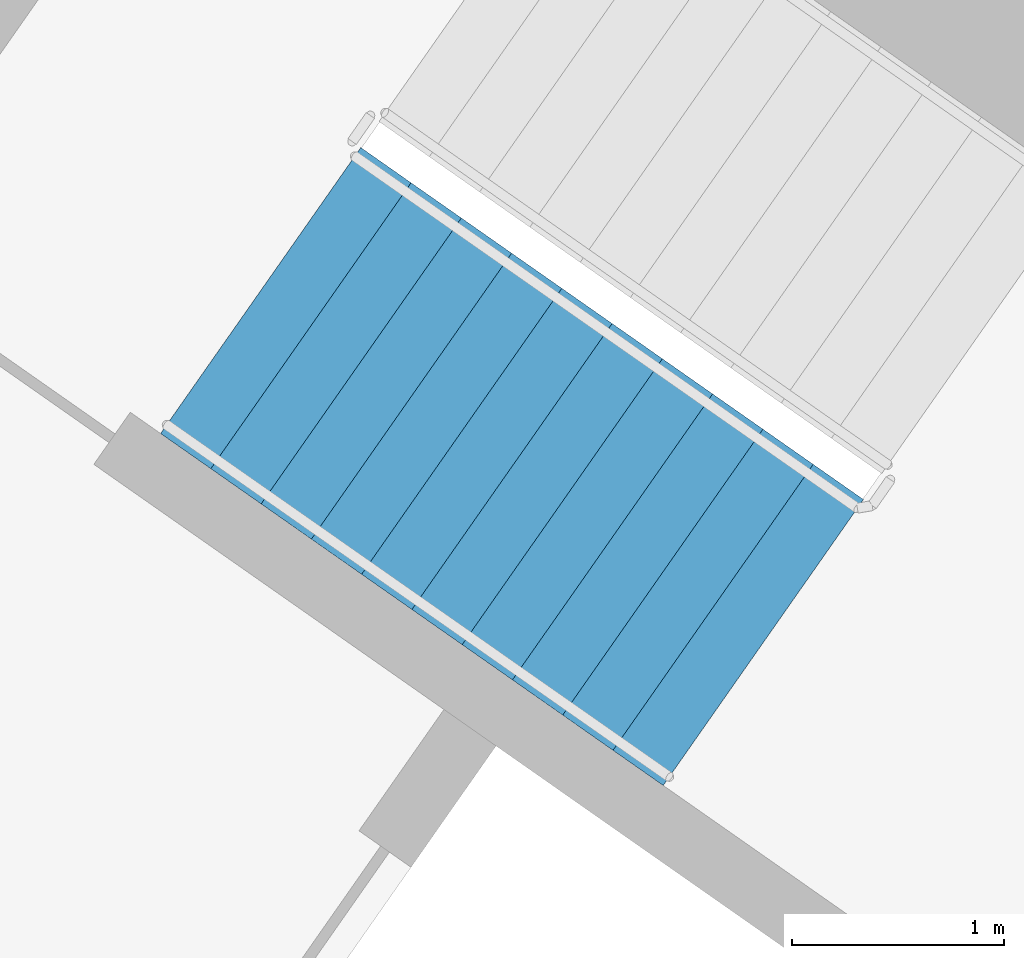
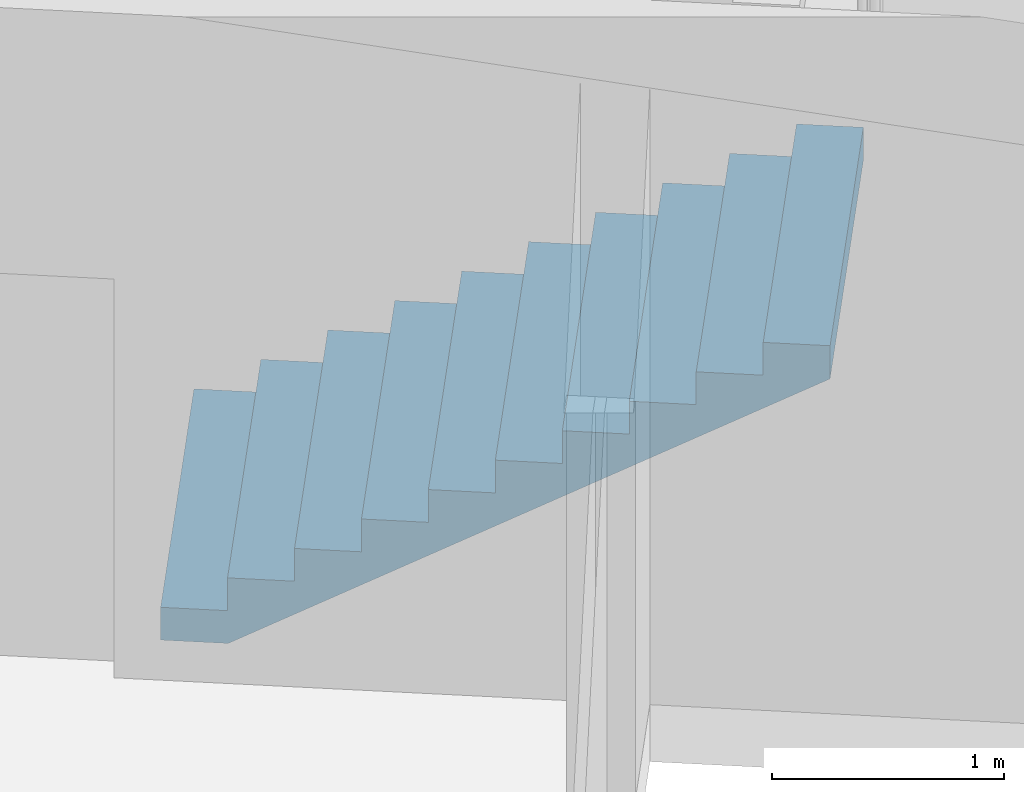
# One storey, part 13 of 31: 1 stair flight, 1 element without a shape of its own.
"""IFC4 building model written with IfcOpenShell, lengths in metres."""

import ifcopenshell
import ifcopenshell.guid

model = None  # the IFC model being written
_history = None  # IfcOwnerHistory: only IFC2X3 demands one
_inside = {}  # id of a spatial element -> (the spatial element, [elements in it])
_under = {}  # id of a project, library or spatial element -> (it, [spatial elements below it])
_declared = {}  # id of a project -> (the project, [libraries it declares])
_typed = {}  # id of a type object -> (the type object, [elements of that type])
_made_of = {}  # id of a material, layer set ... -> (it, [elements and type objects made of it])


def new_model(schema):
    """Start an empty IFC model of exactly this schema.

    Asked for "IFC4X3", IfcOpenShell would pick the latest addendum, in which some entities
    have other attributes; the version numbers below select the first issue.
    IFC2X3 requires an IfcOwnerHistory on every rooted entity: one is made here for all.
    """
    global model, _history
    if schema == "IFC4X3":
        model = ifcopenshell.file(schema_version=(4, 3, 0, 0))
    else:
        model = ifcopenshell.file(schema=schema)
    _inside.clear()
    _under.clear()
    _declared.clear()
    _typed.clear()
    _made_of.clear()
    _history = None
    if model.schema == "IFC2X3":
        org = make("IfcOrganization", Name="unknown")
        user = make(
            "IfcPersonAndOrganization",
            ThePerson=make("IfcPerson", FamilyName="unknown"),
            TheOrganization=org,
        )
        app = make(
            "IfcApplication",
            ApplicationDeveloper=org,
            Version="unknown",
            ApplicationFullName="unknown",
            ApplicationIdentifier="unknown",
        )
        _history = make(
            "IfcOwnerHistory",
            OwningUser=user,
            OwningApplication=app,
            ChangeAction="ADDED",
            CreationDate=0,
        )
    return model


def make(cls, **values):
    """One entity of the class cls with the attributes given. An attribute that is None is left unset."""
    return model.create_entity(
        cls, **{name: value for name, value in values.items() if value is not None}
    )


def rooted(cls, **values):
    """An entity with a GlobalId (a new one), such as an element, a storey or a relation."""
    return make(cls, GlobalId=ifcopenshell.guid.new(), OwnerHistory=_history, **values)


def si_unit(unit_type, name, prefix=None):
    """IfcSIUnit, for example si_unit("LENGTHUNIT", "METRE", prefix="MILLI")."""
    return make("IfcSIUnit", UnitType=unit_type, Prefix=prefix, Name=name)


def assignment(units):
    """IfcUnitAssignment: the units of a project."""
    return None if units is None else make("IfcUnitAssignment", Units=units)


def point(xyz):
    """IfcCartesianPoint."""
    return None if xyz is None else make("IfcCartesianPoint", Coordinates=xyz)


def direction(xyz):
    """IfcDirection."""
    return None if xyz is None else make("IfcDirection", DirectionRatios=xyz)


def frame(location, z_axis=None, x_axis=None):
    """IfcAxis2Placement3D, a coordinate frame: its origin and axes. An axis left out is left unset."""
    return make(
        "IfcAxis2Placement3D",
        Location=point(location),
        Axis=direction(z_axis),
        RefDirection=direction(x_axis),
    )


def origin():
    """The frame at (0, 0, 0) with its axes left unset."""
    return frame((0.0, 0.0, 0.0))


def place(relative_to, where):
    """IfcLocalPlacement: puts the frame where relative to a parent placement (None: the world)."""
    return make(
        "IfcLocalPlacement", PlacementRelTo=relative_to, RelativePlacement=where
    )


def context(
    kind, dimensions, precision=None, world=None, true_north=None, identifier=None
):
    """IfcGeometricRepresentationContext, for example the 3D "Model" context."""
    return make(
        "IfcGeometricRepresentationContext",
        ContextIdentifier=identifier,
        ContextType=kind,
        CoordinateSpaceDimension=dimensions,
        Precision=precision,
        WorldCoordinateSystem=world,
        TrueNorth=true_north,
    )


def subcontext(parent, identifier, kind, view, scale=None):
    """IfcGeometricRepresentationSubContext, for example "Body" below "Model"."""
    return make(
        "IfcGeometricRepresentationSubContext",
        ContextIdentifier=identifier,
        ContextType=kind,
        ParentContext=parent,
        TargetScale=scale,
        TargetView=view,
    )


def project(units=None, contexts=None):
    """IfcProject with its units and contexts."""
    return rooted(
        "IfcProject",
        Name="project",
        RepresentationContexts=contexts,
        UnitsInContext=assignment(units),
    )


def spatial(cls, under=None, at=None, **own):
    """A site, building, storey or space (cls), placed at a placement, below another one or the project."""
    s = rooted(cls, ObjectPlacement=at, **own)
    if under is not None:
        _under.setdefault(under.id(), (under, []))[1].append(s)
    return s


def faces_of(points, faces, orient=None, outer=None):
    """IfcFace entities. A face is a list of loops; a loop is a list of indices into points, from 0.

    orient and outer hold one flag for each loop. By default every Orientation is true, the
    first loop of a face is its IfcFaceOuterBound and the others are IfcFaceBound.
    """
    made = []
    for i, loops in enumerate(faces):
        bounds = []
        for j, loop in enumerate(loops):
            is_outer = j == 0 if outer is None else outer[i][j]
            bounds.append(
                make(
                    "IfcFaceOuterBound" if is_outer else "IfcFaceBound",
                    Bound=make("IfcPolyLoop", Polygon=[points[k] for k in loop]),
                    Orientation=True if orient is None else orient[i][j],
                )
            )
        made.append(make("IfcFace", Bounds=bounds))
    return made


def faceted_brep(points, faces, orient=None, outer=None, voids=None):
    """IfcFacetedBrep: a solid bounded by flat faces; with voids (closed shells), ...WithVoids."""
    shared = [point(p) for p in points]
    hull = make("IfcClosedShell", CfsFaces=faces_of(shared, faces, orient, outer))
    if voids is None:
        return make("IfcFacetedBrep", Outer=hull)
    return make(
        "IfcFacetedBrepWithVoids",
        Outer=hull,
        Voids=[
            make(cls, CfsFaces=faces_of(shared, fs, o, b)) for cls, fs, o, b in voids
        ],
    )


def shape(context_of_items, identifier, shape_type, items):
    """IfcShapeRepresentation: the items that make up one representation, for example the "Body"."""
    return make(
        "IfcShapeRepresentation",
        ContextOfItems=context_of_items,
        RepresentationIdentifier=identifier,
        RepresentationType=shape_type,
        Items=items,
    )


def material(Name=None, Category=None):
    """IfcMaterial."""
    return make("IfcMaterial", Name=Name, Category=Category)


def made_of(thing, what):
    """Note that an element or type object is made of a material, layer set ...; save() writes the relation."""
    if what is not None:
        _made_of.setdefault(what.id(), (what, []))[1].append(thing)
    return thing


def type_object(cls, material=None, **own):
    """A type object (cls), such as IfcWallType, which elements share."""
    return made_of(rooted(cls, **own), material)


def element(
    cls,
    number,
    at=None,
    inside=None,
    cuts=None,
    type_object=None,
    material=None,
    context=None,
    identifier="Body",
    shape_type=None,
    held_by="IfcProductDefinitionShape",
    body=None,
    shapes=None,
    **own,
):
    """One element of the class cls, such as IfcWall. Its Tag is "e" and its number.

    at: its placement. inside: the storey or other place that contains it. cuts: it is an
    opening in that element (IfcRelVoidsElement). A single representation is given by context,
    identifier, shape_type and body (its items); several are given by shapes. held_by: the class
    of the entity that holds the representations. save() writes the other relations.
    """
    e = rooted(cls, Tag="e%d" % number, ObjectPlacement=at, **own)
    if body is not None:
        shapes = [shape(context, identifier, shape_type, body)]
    if shapes is not None:
        e.Representation = make(held_by, Representations=shapes)
    if inside is not None:
        _inside.setdefault(inside.id(), (inside, []))[1].append(e)
    if cuts is not None:
        rooted(
            "IfcRelVoidsElement", RelatingBuildingElement=cuts, RelatedOpeningElement=e
        )
    if type_object is not None:
        _typed.setdefault(type_object.id(), (type_object, []))[1].append(e)
    return made_of(e, material)


def aggregate(whole, parts):
    """IfcRelAggregates: a whole, such as a stair, and the parts it consists of."""
    return rooted("IfcRelAggregates", RelatingObject=whole, RelatedObjects=parts)


def save(model, path):
    """Write the relations noted so far, then the file.

    IfcRelAggregates (storeys below a building ...), IfcRelContainedInSpatialStructure (elements
    in a storey), IfcRelDefinesByType, IfcRelAssociatesMaterial and IfcRelDeclares: one each for
    every whole, place, type object, material and project.
    """
    for whole, parts in _under.values():
        aggregate(whole, parts)
    for where, things in _inside.values():
        rooted(
            "IfcRelContainedInSpatialStructure",
            RelatedElements=things,
            RelatingStructure=where,
        )
    for kind, things in _typed.values():
        rooted("IfcRelDefinesByType", RelatedObjects=things, RelatingType=kind)
    for what, things in _made_of.values():
        rooted("IfcRelAssociatesMaterial", RelatedObjects=things, RelatingMaterial=what)
    for by, libraries in _declared.values():
        rooted("IfcRelDeclares", RelatingContext=by, RelatedDefinitions=libraries)
    model.write(path)


model = new_model("IFC4")

# Units and contexts
model_context = context("Model", 3, precision=1e-05, world=origin(), true_north=direction((0.0, 1.0)))
body_context = subcontext(model_context, "Body", "Model", "MODEL_VIEW")
ifc_project = project(units=[si_unit("LENGTHUNIT", "METRE"), si_unit("AREAUNIT", "SQUARE_METRE"), si_unit("VOLUMEUNIT", "CUBIC_METRE"), si_unit("PLANEANGLEUNIT", "RADIAN"), si_unit("MASSUNIT", "GRAM", prefix="KILO")], contexts=[model_context])

# Site, building, storey
site_placement = place(None, origin())
site = spatial("IfcSite", under=ifc_project, at=site_placement, CompositionType="ELEMENT")
building_placement = place(site_placement, origin())
building = spatial("IfcBuilding", under=site, at=building_placement, Name="Qamariyya Broadcast Tower", CompositionType="ELEMENT")
storey_placement = place(building_placement, frame((0.0, 0.0, 59.5)))
storey = spatial("IfcBuildingStorey", under=building, at=storey_placement, Name="L11", CompositionType="ELEMENT", Elevation=59.5)

# Stair, stair flight
ifc_material = material(Name="Concrete C50/60", Category="concrete")
stair_type = type_object("IfcStairType", Name="Exit stair 22 risers of 173 mm", PredefinedType="HALF_TURN_STAIR", material=ifc_material)
stair_placement = place(storey_placement, origin())
stair = element("IfcStair", 1, at=stair_placement, inside=storey, type_object=stair_type, Name="L11 Stair W2", PredefinedType="HALF_TURN_STAIR")
stair_flight_type = type_object("IfcStairFlightType", Name="Exit stair flight 11 risers of 173 mm", PredefinedType="STRAIGHT", material=ifc_material)
stair_flight_placement = place(storey_placement, frame((-41.59130859375, -49.15966796875, 0.0), z_axis=(0.0, 0.0, 1.0), x_axis=(0.819152044289, -0.573576436351, 0.0)))
stair_flight = element("IfcStairFlight", 2, at=stair_flight_placement, type_object=stair_flight_type, Name="ST-W2 flight 1", NumberOfRisers=11, NumberOfTreads=10, PredefinedType="STRAIGHT", RiserHeight=0.172727273, TreadLength=0.29, context=body_context, shape_type="Brep", body=[
    faceted_brep([(0.0, 0.824951171875, 0.0), (0.0, 0.824951171875, 0.172607421875), (0.2900390625, 0.824951171875, 0.172607421875), (0.2900390625, 0.824951171875, 0.345458984375), (0.580078125, 0.824951171875, 0.345458984375), (0.580078125, 0.824951171875, 0.51806640625), (0.8701171875, 0.824951171875, 0.51806640625), (0.8701171875, 0.824951171875, 0.69091796875), (1.159912109375, 0.824951171875, 0.69091796875), (1.159912109375, 0.824951171875, 0.863525390625), (1.449951171875, 0.824951171875, 0.863525390625), (1.449951171875, 0.824951171875, 1.036376953125), (1.739990234375, 0.824951171875, 1.036376953125), (1.739990234375, 0.824951171875, 1.208984375), (2.030029296875, 0.824951171875, 1.208984375), (2.030029296875, 0.824951171875, 1.3818359375), (2.320068359375, 0.824951171875, 1.3818359375), (2.320068359375, 0.824951171875, 1.554443359375), (2.610107421875, 0.824951171875, 1.554443359375), (2.610107421875, 0.824951171875, 1.727294921875), (2.89990234375, 0.824951171875, 1.727294921875), (2.89990234375, 0.824951171875, 1.552734375), (0.29296875, 0.824951171875, 0.0), (0.29296875, -0.824951171875, 0.0), (2.89990234375, -0.824951171875, 1.552734375), (2.89990234375, -0.824951171875, 1.727294921875), (2.610107421875, -0.824951171875, 1.727294921875), (2.610107421875, -0.824951171875, 1.554443359375), (2.320068359375, -0.824951171875, 1.554443359375), (2.320068359375, -0.824951171875, 1.3818359375), (2.030029296875, -0.824951171875, 1.3818359375), (2.030029296875, -0.824951171875, 1.208984375), (1.739990234375, -0.824951171875, 1.208984375), (1.739990234375, -0.824951171875, 1.036376953125), (1.449951171875, -0.824951171875, 1.036376953125), (1.449951171875, -0.824951171875, 0.863525390625), (1.159912109375, -0.824951171875, 0.863525390625), (1.159912109375, -0.824951171875, 0.69091796875), (0.8701171875, -0.824951171875, 0.69091796875), (0.8701171875, -0.824951171875, 0.51806640625), (0.580078125, -0.824951171875, 0.51806640625), (0.580078125, -0.824951171875, 0.345458984375), (0.2900390625, -0.824951171875, 0.345458984375), (0.2900390625, -0.824951171875, 0.172607421875), (0.0, -0.824951171875, 0.172607421875), (0.0, -0.824951171875, 0.0), (0.0, 0.10009765625, 0.0), (0.0, 0.086669921875, 0.0), (0.0, 0.0732421875, 0.0), (0.0, 0.06005859375, 0.0), (0.0, 0.046630859375, 0.0), (0.0, 0.033447265625, 0.0), (0.0, 0.02001953125, 0.0), (0.0, 0.006591796875, 0.0), (0.0, -0.006591796875, 0.0), (0.0, -0.02001953125, 0.0), (0.0, -0.033447265625, 0.0), (0.0, -0.046630859375, 0.0), (0.0, -0.06005859375, 0.0), (0.0, -0.0732421875, 0.0), (0.0, -0.086669921875, 0.0), (0.0, -0.10009765625, 0.0), (0.0, -0.10009765625, 0.172607421875), (0.0, -0.086669921875, 0.172607421875), (0.0, -0.0732421875, 0.172607421875), (0.0, -0.06005859375, 0.172607421875), (0.0, -0.046630859375, 0.172607421875), (0.0, -0.033447265625, 0.172607421875), (0.0, -0.02001953125, 0.172607421875), (0.0, -0.006591796875, 0.172607421875), (0.0, 0.006591796875, 0.172607421875), (0.0, 0.02001953125, 0.172607421875), (0.0, 0.033447265625, 0.172607421875), (0.0, 0.046630859375, 0.172607421875), (0.0, 0.06005859375, 0.172607421875), (0.0, 0.0732421875, 0.172607421875), (0.0, 0.086669921875, 0.172607421875), (0.0, 0.10009765625, 0.172607421875), (0.2900390625, -0.10009765625, 0.172607421875), (0.2900390625, -0.086669921875, 0.172607421875), (0.2900390625, -0.0732421875, 0.172607421875), (0.2900390625, -0.06005859375, 0.172607421875), (0.2900390625, -0.046630859375, 0.172607421875), (0.2900390625, -0.033447265625, 0.172607421875), (0.2900390625, -0.02001953125, 0.172607421875), (0.2900390625, -0.006591796875, 0.172607421875), (0.2900390625, 0.006591796875, 0.172607421875), (0.2900390625, 0.02001953125, 0.172607421875), (0.2900390625, 0.033447265625, 0.172607421875), (0.2900390625, 0.046630859375, 0.172607421875), (0.2900390625, 0.06005859375, 0.172607421875), (0.2900390625, 0.0732421875, 0.172607421875), (0.2900390625, 0.086669921875, 0.172607421875), (0.2900390625, 0.10009765625, 0.172607421875), (0.2900390625, -0.10009765625, 0.345458984375), (0.2900390625, -0.086669921875, 0.345458984375), (0.2900390625, -0.0732421875, 0.345458984375), (0.2900390625, -0.06005859375, 0.345458984375), (0.2900390625, -0.046630859375, 0.345458984375), (0.2900390625, -0.033447265625, 0.345458984375), (0.2900390625, -0.02001953125, 0.345458984375), (0.2900390625, -0.006591796875, 0.345458984375), (0.2900390625, 0.006591796875, 0.345458984375), (0.2900390625, 0.02001953125, 0.345458984375), (0.2900390625, 0.033447265625, 0.345458984375), (0.2900390625, 0.046630859375, 0.345458984375), (0.2900390625, 0.06005859375, 0.345458984375), (0.2900390625, 0.0732421875, 0.345458984375), (0.2900390625, 0.086669921875, 0.345458984375), (0.2900390625, 0.10009765625, 0.345458984375), (0.580078125, -0.10009765625, 0.345458984375), (0.580078125, -0.086669921875, 0.345458984375), (0.580078125, -0.0732421875, 0.345458984375), (0.580078125, -0.06005859375, 0.345458984375), (0.580078125, -0.046630859375, 0.345458984375), (0.580078125, -0.033447265625, 0.345458984375), (0.580078125, -0.02001953125, 0.345458984375), (0.580078125, -0.006591796875, 0.345458984375), (0.580078125, 0.006591796875, 0.345458984375), (0.580078125, 0.02001953125, 0.345458984375), (0.580078125, 0.033447265625, 0.345458984375), (0.580078125, 0.046630859375, 0.345458984375), (0.580078125, 0.06005859375, 0.345458984375), (0.580078125, 0.0732421875, 0.345458984375), (0.580078125, 0.086669921875, 0.345458984375), (0.580078125, 0.10009765625, 0.345458984375), (0.580078125, -0.10009765625, 0.51806640625), (0.580078125, -0.086669921875, 0.51806640625), (0.580078125, -0.0732421875, 0.51806640625), (0.580078125, -0.06005859375, 0.51806640625), (0.580078125, -0.046630859375, 0.51806640625), (0.580078125, -0.033447265625, 0.51806640625), (0.580078125, -0.02001953125, 0.51806640625), (0.580078125, -0.006591796875, 0.51806640625), (0.580078125, 0.006591796875, 0.51806640625), (0.580078125, 0.02001953125, 0.51806640625), (0.580078125, 0.033447265625, 0.51806640625), (0.580078125, 0.046630859375, 0.51806640625), (0.580078125, 0.06005859375, 0.51806640625), (0.580078125, 0.0732421875, 0.51806640625), (0.580078125, 0.086669921875, 0.51806640625), (0.580078125, 0.10009765625, 0.51806640625), (0.8701171875, -0.10009765625, 0.51806640625), (0.8701171875, -0.086669921875, 0.51806640625), (0.8701171875, -0.0732421875, 0.51806640625), (0.8701171875, -0.06005859375, 0.51806640625), (0.8701171875, -0.046630859375, 0.51806640625), (0.8701171875, -0.033447265625, 0.51806640625), (0.8701171875, -0.02001953125, 0.51806640625), (0.8701171875, -0.006591796875, 0.51806640625), (0.8701171875, 0.006591796875, 0.51806640625), (0.8701171875, 0.02001953125, 0.51806640625), (0.8701171875, 0.033447265625, 0.51806640625), (0.8701171875, 0.046630859375, 0.51806640625), (0.8701171875, 0.06005859375, 0.51806640625), (0.8701171875, 0.0732421875, 0.51806640625), (0.8701171875, 0.086669921875, 0.51806640625), (0.8701171875, 0.10009765625, 0.51806640625), (0.8701171875, -0.10009765625, 0.69091796875), (0.8701171875, -0.086669921875, 0.69091796875), (0.8701171875, -0.0732421875, 0.69091796875), (0.8701171875, -0.06005859375, 0.69091796875), (0.8701171875, -0.046630859375, 0.69091796875), (0.8701171875, -0.033447265625, 0.69091796875), (0.8701171875, -0.02001953125, 0.69091796875), (0.8701171875, -0.006591796875, 0.69091796875), (0.8701171875, 0.006591796875, 0.69091796875), (0.8701171875, 0.02001953125, 0.69091796875), (0.8701171875, 0.033447265625, 0.69091796875), (0.8701171875, 0.046630859375, 0.69091796875), (0.8701171875, 0.06005859375, 0.69091796875), (0.8701171875, 0.0732421875, 0.69091796875), (0.8701171875, 0.086669921875, 0.69091796875), (0.8701171875, 0.10009765625, 0.69091796875), (1.159912109375, -0.10009765625, 0.69091796875), (1.159912109375, -0.086669921875, 0.69091796875), (1.159912109375, -0.0732421875, 0.69091796875), (1.159912109375, -0.06005859375, 0.69091796875), (1.159912109375, -0.046630859375, 0.69091796875), (1.159912109375, -0.033447265625, 0.69091796875), (1.159912109375, -0.02001953125, 0.69091796875), (1.159912109375, -0.006591796875, 0.69091796875), (1.159912109375, 0.006591796875, 0.69091796875), (1.159912109375, 0.02001953125, 0.69091796875), (1.159912109375, 0.033447265625, 0.69091796875), (1.159912109375, 0.046630859375, 0.69091796875), (1.159912109375, 0.06005859375, 0.69091796875), (1.159912109375, 0.0732421875, 0.69091796875), (1.159912109375, 0.086669921875, 0.69091796875), (1.159912109375, 0.10009765625, 0.69091796875), (1.159912109375, -0.10009765625, 0.863525390625), (1.159912109375, -0.086669921875, 0.863525390625), (1.159912109375, -0.0732421875, 0.863525390625), (1.159912109375, -0.06005859375, 0.863525390625), (1.159912109375, -0.046630859375, 0.863525390625), (1.159912109375, -0.033447265625, 0.863525390625), (1.159912109375, -0.02001953125, 0.863525390625), (1.159912109375, -0.006591796875, 0.863525390625), (1.159912109375, 0.006591796875, 0.863525390625), (1.159912109375, 0.02001953125, 0.863525390625), (1.159912109375, 0.033447265625, 0.863525390625), (1.159912109375, 0.046630859375, 0.863525390625), (1.159912109375, 0.06005859375, 0.863525390625), (1.159912109375, 0.0732421875, 0.863525390625), (1.159912109375, 0.086669921875, 0.863525390625), (1.159912109375, 0.10009765625, 0.863525390625), (1.449951171875, -0.10009765625, 0.863525390625), (1.449951171875, -0.086669921875, 0.863525390625), (1.449951171875, -0.0732421875, 0.863525390625), (1.449951171875, -0.06005859375, 0.863525390625), (1.449951171875, -0.046630859375, 0.863525390625), (1.449951171875, -0.033447265625, 0.863525390625), (1.449951171875, -0.02001953125, 0.863525390625), (1.449951171875, -0.006591796875, 0.863525390625), (1.449951171875, 0.006591796875, 0.863525390625), (1.449951171875, 0.02001953125, 0.863525390625), (1.449951171875, 0.033447265625, 0.863525390625), (1.449951171875, 0.046630859375, 0.863525390625), (1.449951171875, 0.06005859375, 0.863525390625), (1.449951171875, 0.0732421875, 0.863525390625), (1.449951171875, 0.086669921875, 0.863525390625), (1.449951171875, 0.10009765625, 0.863525390625), (1.449951171875, -0.10009765625, 1.036376953125), (1.449951171875, -0.086669921875, 1.036376953125), (1.449951171875, -0.0732421875, 1.036376953125), (1.449951171875, -0.06005859375, 1.036376953125), (1.449951171875, -0.046630859375, 1.036376953125), (1.449951171875, -0.033447265625, 1.036376953125), (1.449951171875, -0.02001953125, 1.036376953125), (1.449951171875, -0.006591796875, 1.036376953125), (1.449951171875, 0.006591796875, 1.036376953125), (1.449951171875, 0.02001953125, 1.036376953125), (1.449951171875, 0.033447265625, 1.036376953125), (1.449951171875, 0.046630859375, 1.036376953125), (1.449951171875, 0.06005859375, 1.036376953125), (1.449951171875, 0.0732421875, 1.036376953125), (1.449951171875, 0.086669921875, 1.036376953125), (1.449951171875, 0.10009765625, 1.036376953125), (1.739990234375, -0.10009765625, 1.036376953125), (1.739990234375, -0.086669921875, 1.036376953125), (1.739990234375, -0.0732421875, 1.036376953125), (1.739990234375, -0.06005859375, 1.036376953125), (1.739990234375, -0.046630859375, 1.036376953125), (1.739990234375, -0.033447265625, 1.036376953125), (1.739990234375, -0.02001953125, 1.036376953125), (1.739990234375, -0.006591796875, 1.036376953125), (1.739990234375, 0.006591796875, 1.036376953125), (1.739990234375, 0.02001953125, 1.036376953125), (1.739990234375, 0.033447265625, 1.036376953125), (1.739990234375, 0.046630859375, 1.036376953125), (1.739990234375, 0.06005859375, 1.036376953125), (1.739990234375, 0.0732421875, 1.036376953125), (1.739990234375, 0.086669921875, 1.036376953125), (1.739990234375, 0.10009765625, 1.036376953125), (1.739990234375, -0.10009765625, 1.208984375), (1.739990234375, -0.086669921875, 1.208984375), (1.739990234375, -0.0732421875, 1.208984375), (1.739990234375, -0.06005859375, 1.208984375), (1.739990234375, -0.046630859375, 1.208984375), (1.739990234375, -0.033447265625, 1.208984375), (1.739990234375, -0.02001953125, 1.208984375), (1.739990234375, -0.006591796875, 1.208984375), (1.739990234375, 0.006591796875, 1.208984375), (1.739990234375, 0.02001953125, 1.208984375), (1.739990234375, 0.033447265625, 1.208984375), (1.739990234375, 0.046630859375, 1.208984375), (1.739990234375, 0.06005859375, 1.208984375), (1.739990234375, 0.0732421875, 1.208984375), (1.739990234375, 0.086669921875, 1.208984375), (1.739990234375, 0.10009765625, 1.208984375), (2.030029296875, -0.10009765625, 1.208984375), (2.030029296875, -0.086669921875, 1.208984375), (2.030029296875, -0.0732421875, 1.208984375), (2.030029296875, -0.06005859375, 1.208984375), (2.030029296875, -0.046630859375, 1.208984375), (2.030029296875, -0.033447265625, 1.208984375), (2.030029296875, -0.02001953125, 1.208984375), (2.030029296875, -0.006591796875, 1.208984375), (2.030029296875, 0.006591796875, 1.208984375), (2.030029296875, 0.02001953125, 1.208984375), (2.030029296875, 0.033447265625, 1.208984375), (2.030029296875, 0.046630859375, 1.208984375), (2.030029296875, 0.06005859375, 1.208984375), (2.030029296875, 0.0732421875, 1.208984375), (2.030029296875, 0.086669921875, 1.208984375), (2.030029296875, 0.10009765625, 1.208984375), (2.030029296875, -0.10009765625, 1.3818359375), (2.030029296875, -0.086669921875, 1.3818359375), (2.030029296875, -0.0732421875, 1.3818359375), (2.030029296875, -0.06005859375, 1.3818359375), (2.030029296875, -0.046630859375, 1.3818359375), (2.030029296875, -0.033447265625, 1.3818359375), (2.030029296875, -0.02001953125, 1.3818359375), (2.030029296875, -0.006591796875, 1.3818359375), (2.030029296875, 0.006591796875, 1.3818359375), (2.030029296875, 0.02001953125, 1.3818359375), (2.030029296875, 0.033447265625, 1.3818359375), (2.030029296875, 0.046630859375, 1.3818359375), (2.030029296875, 0.06005859375, 1.3818359375), (2.030029296875, 0.0732421875, 1.3818359375), (2.030029296875, 0.086669921875, 1.3818359375), (2.030029296875, 0.10009765625, 1.3818359375), (2.320068359375, -0.10009765625, 1.3818359375), (2.320068359375, -0.086669921875, 1.3818359375), (2.320068359375, -0.0732421875, 1.3818359375), (2.320068359375, -0.06005859375, 1.3818359375), (2.320068359375, -0.046630859375, 1.3818359375), (2.320068359375, -0.033447265625, 1.3818359375), (2.320068359375, -0.02001953125, 1.3818359375), (2.320068359375, -0.006591796875, 1.3818359375), (2.320068359375, 0.006591796875, 1.3818359375), (2.320068359375, 0.02001953125, 1.3818359375), (2.320068359375, 0.033447265625, 1.3818359375), (2.320068359375, 0.046630859375, 1.3818359375), (2.320068359375, 0.06005859375, 1.3818359375), (2.320068359375, 0.0732421875, 1.3818359375), (2.320068359375, 0.086669921875, 1.3818359375), (2.320068359375, 0.10009765625, 1.3818359375), (2.320068359375, -0.10009765625, 1.554443359375), (2.320068359375, -0.086669921875, 1.554443359375), (2.320068359375, -0.0732421875, 1.554443359375), (2.320068359375, -0.06005859375, 1.554443359375), (2.320068359375, -0.046630859375, 1.554443359375), (2.320068359375, -0.033447265625, 1.554443359375), (2.320068359375, -0.02001953125, 1.554443359375), (2.320068359375, -0.006591796875, 1.554443359375), (2.320068359375, 0.006591796875, 1.554443359375), (2.320068359375, 0.02001953125, 1.554443359375), (2.320068359375, 0.033447265625, 1.554443359375), (2.320068359375, 0.046630859375, 1.554443359375), (2.320068359375, 0.06005859375, 1.554443359375), (2.320068359375, 0.0732421875, 1.554443359375), (2.320068359375, 0.086669921875, 1.554443359375), (2.320068359375, 0.10009765625, 1.554443359375), (2.610107421875, -0.10009765625, 1.554443359375), (2.610107421875, -0.086669921875, 1.554443359375), (2.610107421875, -0.0732421875, 1.554443359375), (2.610107421875, -0.06005859375, 1.554443359375), (2.610107421875, -0.046630859375, 1.554443359375), (2.610107421875, -0.033447265625, 1.554443359375), (2.610107421875, -0.02001953125, 1.554443359375), (2.610107421875, -0.006591796875, 1.554443359375), (2.610107421875, 0.006591796875, 1.554443359375), (2.610107421875, 0.02001953125, 1.554443359375), (2.610107421875, 0.033447265625, 1.554443359375), (2.610107421875, 0.046630859375, 1.554443359375), (2.610107421875, 0.06005859375, 1.554443359375), (2.610107421875, 0.0732421875, 1.554443359375), (2.610107421875, 0.086669921875, 1.554443359375), (2.610107421875, 0.10009765625, 1.554443359375), (2.610107421875, -0.10009765625, 1.727294921875), (2.610107421875, -0.086669921875, 1.727294921875), (2.610107421875, -0.0732421875, 1.727294921875), (2.610107421875, -0.06005859375, 1.727294921875), (2.610107421875, -0.046630859375, 1.727294921875), (2.610107421875, -0.033447265625, 1.727294921875), (2.610107421875, -0.02001953125, 1.727294921875), (2.610107421875, -0.006591796875, 1.727294921875), (2.610107421875, 0.006591796875, 1.727294921875), (2.610107421875, 0.02001953125, 1.727294921875), (2.610107421875, 0.033447265625, 1.727294921875), (2.610107421875, 0.046630859375, 1.727294921875), (2.610107421875, 0.06005859375, 1.727294921875), (2.610107421875, 0.0732421875, 1.727294921875), (2.610107421875, 0.086669921875, 1.727294921875), (2.610107421875, 0.10009765625, 1.727294921875), (2.89990234375, -0.10009765625, 1.727294921875), (2.89990234375, -0.086669921875, 1.727294921875), (2.89990234375, -0.0732421875, 1.727294921875), (2.89990234375, -0.06005859375, 1.727294921875), (2.89990234375, -0.046630859375, 1.727294921875), (2.89990234375, -0.033447265625, 1.727294921875), (2.89990234375, -0.02001953125, 1.727294921875), (2.89990234375, -0.006591796875, 1.727294921875), (2.89990234375, 0.006591796875, 1.727294921875), (2.89990234375, 0.02001953125, 1.727294921875), (2.89990234375, 0.033447265625, 1.727294921875), (2.89990234375, 0.046630859375, 1.727294921875), (2.89990234375, 0.06005859375, 1.727294921875), (2.89990234375, 0.0732421875, 1.727294921875), (2.89990234375, 0.086669921875, 1.727294921875), (2.89990234375, 0.10009765625, 1.727294921875), (2.89990234375, -0.10009765625, 1.552734375), (2.89990234375, -0.086669921875, 1.552734375), (2.89990234375, -0.0732421875, 1.552734375), (2.89990234375, -0.06005859375, 1.552734375), (2.89990234375, -0.046630859375, 1.552734375), (2.89990234375, -0.033447265625, 1.552734375), (2.89990234375, -0.02001953125, 1.552734375), (2.89990234375, -0.006591796875, 1.552734375), (2.89990234375, 0.006591796875, 1.552734375), (2.89990234375, 0.02001953125, 1.552734375), (2.89990234375, 0.033447265625, 1.552734375), (2.89990234375, 0.046630859375, 1.552734375), (2.89990234375, 0.06005859375, 1.552734375), (2.89990234375, 0.0732421875, 1.552734375), (2.89990234375, 0.086669921875, 1.552734375), (2.89990234375, 0.10009765625, 1.552734375), (0.29296875, -0.10009765625, 0.0), (0.29296875, -0.086669921875, 0.0), (0.29296875, -0.0732421875, 0.0), (0.29296875, -0.06005859375, 0.0), (0.29296875, -0.046630859375, 0.0), (0.29296875, -0.033447265625, 0.0), (0.29296875, -0.02001953125, 0.0), (0.29296875, -0.006591796875, 0.0), (0.29296875, 0.006591796875, 0.0), (0.29296875, 0.02001953125, 0.0), (0.29296875, 0.033447265625, 0.0), (0.29296875, 0.046630859375, 0.0), (0.29296875, 0.06005859375, 0.0), (0.29296875, 0.0732421875, 0.0), (0.29296875, 0.086669921875, 0.0), (0.29296875, 0.10009765625, 0.0)], [[[0, 1, 2, 3, 4, 5, 6, 7, 8, 9, 10, 11, 12, 13, 14, 15, 16, 17, 18, 19, 20, 21, 22]], [[23, 24, 25, 26, 27, 28, 29, 30, 31, 32, 33, 34, 35, 36, 37, 38, 39, 40, 41, 42, 43, 44, 45]], [[0, 46, 47, 48, 49, 50, 51, 52, 53, 54, 55, 56, 57, 58, 59, 60, 61, 45, 44, 62, 63, 64, 65, 66, 67, 68, 69, 70, 71, 72, 73, 74, 75, 76, 77, 1]], [[1, 77, 76, 75, 74, 73, 72, 71, 70, 69, 68, 67, 66, 65, 64, 63, 62, 44, 43, 78, 79, 80, 81, 82, 83, 84, 85, 86, 87, 88, 89, 90, 91, 92, 93, 2]], [[2, 93, 92, 91, 90, 89, 88, 87, 86, 85, 84, 83, 82, 81, 80, 79, 78, 43, 42, 94, 95, 96, 97, 98, 99, 100, 101, 102, 103, 104, 105, 106, 107, 108, 109, 3]], [[3, 109, 108, 107, 106, 105, 104, 103, 102, 101, 100, 99, 98, 97, 96, 95, 94, 42, 41, 110, 111, 112, 113, 114, 115, 116, 117, 118, 119, 120, 121, 122, 123, 124, 125, 4]], [[4, 125, 124, 123, 122, 121, 120, 119, 118, 117, 116, 115, 114, 113, 112, 111, 110, 41, 40, 126, 127, 128, 129, 130, 131, 132, 133, 134, 135, 136, 137, 138, 139, 140, 141, 5]], [[5, 141, 140, 139, 138, 137, 136, 135, 134, 133, 132, 131, 130, 129, 128, 127, 126, 40, 39, 142, 143, 144, 145, 146, 147, 148, 149, 150, 151, 152, 153, 154, 155, 156, 157, 6]], [[6, 157, 156, 155, 154, 153, 152, 151, 150, 149, 148, 147, 146, 145, 144, 143, 142, 39, 38, 158, 159, 160, 161, 162, 163, 164, 165, 166, 167, 168, 169, 170, 171, 172, 173, 7]], [[7, 173, 172, 171, 170, 169, 168, 167, 166, 165, 164, 163, 162, 161, 160, 159, 158, 38, 37, 174, 175, 176, 177, 178, 179, 180, 181, 182, 183, 184, 185, 186, 187, 188, 189, 8]], [[8, 189, 188, 187, 186, 185, 184, 183, 182, 181, 180, 179, 178, 177, 176, 175, 174, 37, 36, 190, 191, 192, 193, 194, 195, 196, 197, 198, 199, 200, 201, 202, 203, 204, 205, 9]], [[9, 205, 204, 203, 202, 201, 200, 199, 198, 197, 196, 195, 194, 193, 192, 191, 190, 36, 35, 206, 207, 208, 209, 210, 211, 212, 213, 214, 215, 216, 217, 218, 219, 220, 221, 10]], [[10, 221, 220, 219, 218, 217, 216, 215, 214, 213, 212, 211, 210, 209, 208, 207, 206, 35, 34, 222, 223, 224, 225, 226, 227, 228, 229, 230, 231, 232, 233, 234, 235, 236, 237, 11]], [[11, 237, 236, 235, 234, 233, 232, 231, 230, 229, 228, 227, 226, 225, 224, 223, 222, 34, 33, 238, 239, 240, 241, 242, 243, 244, 245, 246, 247, 248, 249, 250, 251, 252, 253, 12]], [[12, 253, 252, 251, 250, 249, 248, 247, 246, 245, 244, 243, 242, 241, 240, 239, 238, 33, 32, 254, 255, 256, 257, 258, 259, 260, 261, 262, 263, 264, 265, 266, 267, 268, 269, 13]], [[13, 269, 268, 267, 266, 265, 264, 263, 262, 261, 260, 259, 258, 257, 256, 255, 254, 32, 31, 270, 271, 272, 273, 274, 275, 276, 277, 278, 279, 280, 281, 282, 283, 284, 285, 14]], [[14, 285, 284, 283, 282, 281, 280, 279, 278, 277, 276, 275, 274, 273, 272, 271, 270, 31, 30, 286, 287, 288, 289, 290, 291, 292, 293, 294, 295, 296, 297, 298, 299, 300, 301, 15]], [[15, 301, 300, 299, 298, 297, 296, 295, 294, 293, 292, 291, 290, 289, 288, 287, 286, 30, 29, 302, 303, 304, 305, 306, 307, 308, 309, 310, 311, 312, 313, 314, 315, 316, 317, 16]], [[16, 317, 316, 315, 314, 313, 312, 311, 310, 309, 308, 307, 306, 305, 304, 303, 302, 29, 28, 318, 319, 320, 321, 322, 323, 324, 325, 326, 327, 328, 329, 330, 331, 332, 333, 17]], [[17, 333, 332, 331, 330, 329, 328, 327, 326, 325, 324, 323, 322, 321, 320, 319, 318, 28, 27, 334, 335, 336, 337, 338, 339, 340, 341, 342, 343, 344, 345, 346, 347, 348, 349, 18]], [[18, 349, 348, 347, 346, 345, 344, 343, 342, 341, 340, 339, 338, 337, 336, 335, 334, 27, 26, 350, 351, 352, 353, 354, 355, 356, 357, 358, 359, 360, 361, 362, 363, 364, 365, 19]], [[19, 365, 364, 363, 362, 361, 360, 359, 358, 357, 356, 355, 354, 353, 352, 351, 350, 26, 25, 366, 367, 368, 369, 370, 371, 372, 373, 374, 375, 376, 377, 378, 379, 380, 381, 20]], [[20, 381, 380, 379, 378, 377, 376, 375, 374, 373, 372, 371, 370, 369, 368, 367, 366, 25, 24, 382, 383, 384, 385, 386, 387, 388, 389, 390, 391, 392, 393, 394, 395, 396, 397, 21]], [[21, 397, 396, 395, 394, 393, 392, 391, 390, 389, 388, 387, 386, 385, 384, 383, 382, 24, 23, 398, 399, 400, 401, 402, 403, 404, 405, 406, 407, 408, 409, 410, 411, 412, 413, 22]], [[22, 413, 412, 411, 410, 409, 408, 407, 406, 405, 404, 403, 402, 401, 400, 399, 398, 23, 45, 61, 60, 59, 58, 57, 56, 55, 54, 53, 52, 51, 50, 49, 48, 47, 46, 0]]]),
])
aggregate(stair, [stair_flight])

save(model, "model.ifc")
